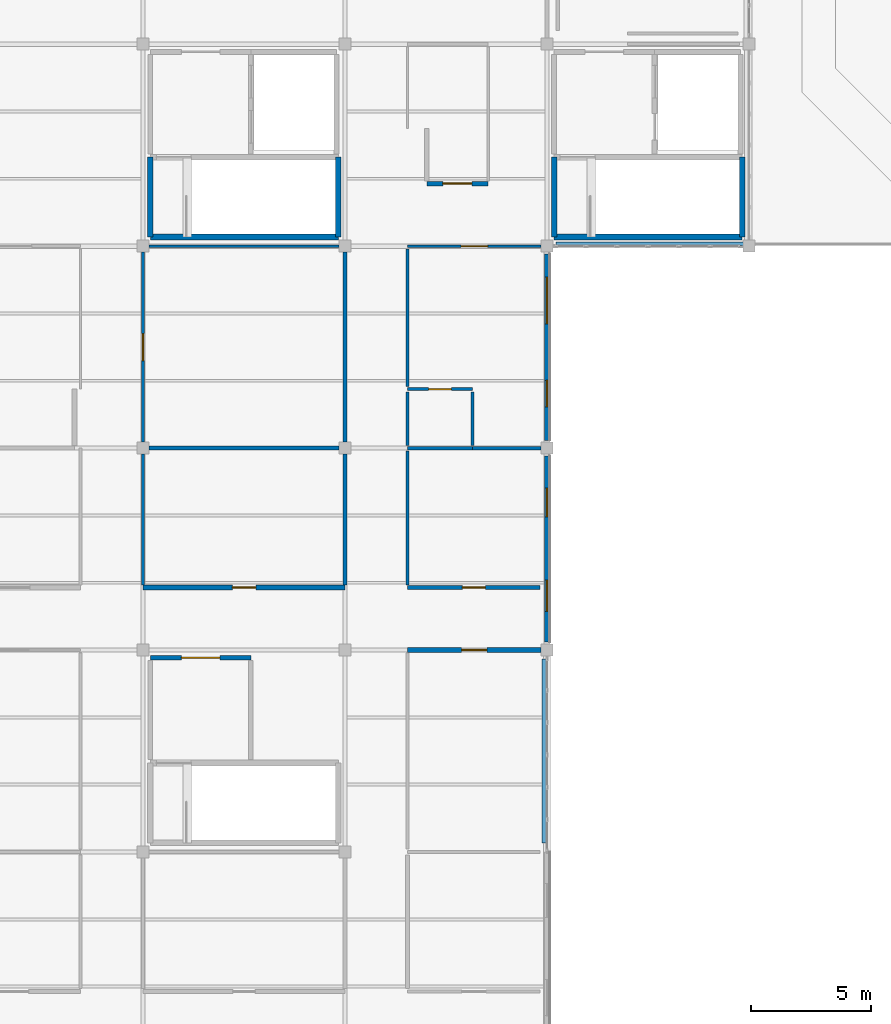
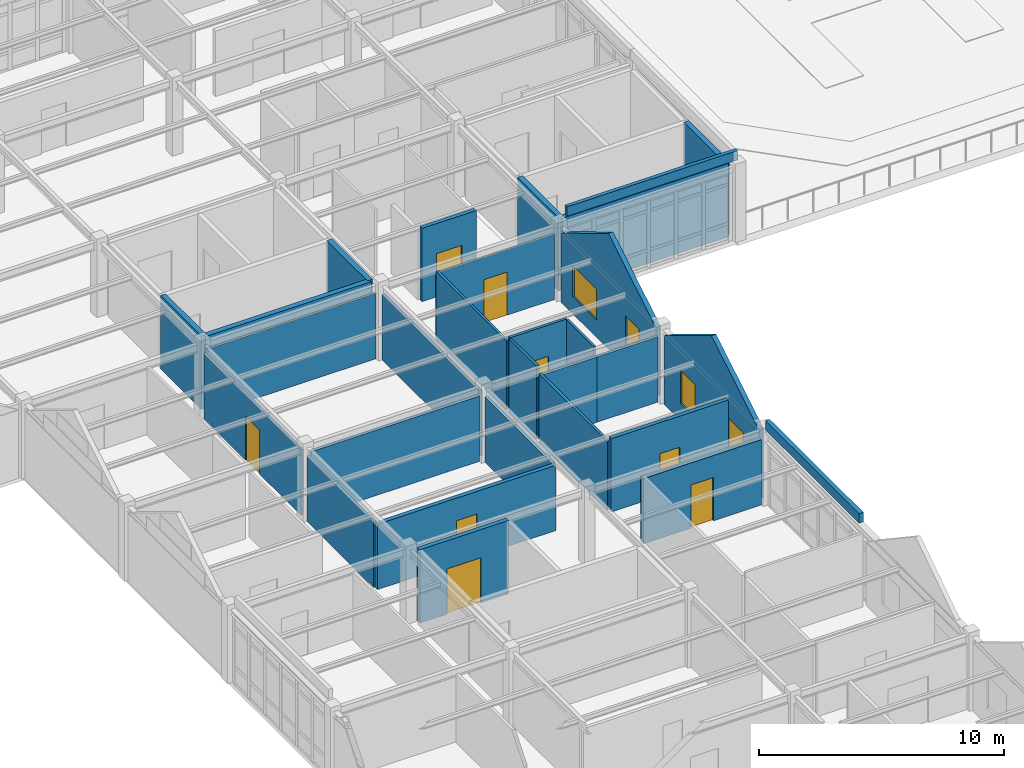
# One storey, part 39 of 45: 29 walls, 8 doors, 4 windows, 12 openings.
"""IFC4 building model written with IfcOpenShell, lengths in metres."""

import ifcopenshell
import ifcopenshell.guid

model = None  # the IFC model being written
_history = None  # IfcOwnerHistory: only IFC2X3 demands one
_inside = {}  # id of a spatial element -> (the spatial element, [elements in it])
_under = {}  # id of a project, library or spatial element -> (it, [spatial elements below it])
_declared = {}  # id of a project -> (the project, [libraries it declares])
_typed = {}  # id of a type object -> (the type object, [elements of that type])
_made_of = {}  # id of a material, layer set ... -> (it, [elements and type objects made of it])


def new_model(schema):
    """Start an empty IFC model of exactly this schema.

    Asked for "IFC4X3", IfcOpenShell would pick the latest addendum, in which some entities
    have other attributes; the version numbers below select the first issue.
    IFC2X3 requires an IfcOwnerHistory on every rooted entity: one is made here for all.
    """
    global model, _history
    if schema == "IFC4X3":
        model = ifcopenshell.file(schema_version=(4, 3, 0, 0))
    else:
        model = ifcopenshell.file(schema=schema)
    _inside.clear()
    _under.clear()
    _declared.clear()
    _typed.clear()
    _made_of.clear()
    _history = None
    if model.schema == "IFC2X3":
        org = make("IfcOrganization", Name="unknown")
        user = make(
            "IfcPersonAndOrganization",
            ThePerson=make("IfcPerson", FamilyName="unknown"),
            TheOrganization=org,
        )
        app = make(
            "IfcApplication",
            ApplicationDeveloper=org,
            Version="unknown",
            ApplicationFullName="unknown",
            ApplicationIdentifier="unknown",
        )
        _history = make(
            "IfcOwnerHistory",
            OwningUser=user,
            OwningApplication=app,
            ChangeAction="ADDED",
            CreationDate=0,
        )
    return model


def make(cls, **values):
    """One entity of the class cls with the attributes given. An attribute that is None is left unset."""
    return model.create_entity(
        cls, **{name: value for name, value in values.items() if value is not None}
    )


def rooted(cls, **values):
    """An entity with a GlobalId (a new one), such as an element, a storey or a relation."""
    return make(cls, GlobalId=ifcopenshell.guid.new(), OwnerHistory=_history, **values)


def si_unit(unit_type, name, prefix=None):
    """IfcSIUnit, for example si_unit("LENGTHUNIT", "METRE", prefix="MILLI")."""
    return make("IfcSIUnit", UnitType=unit_type, Prefix=prefix, Name=name)


def assignment(units):
    """IfcUnitAssignment: the units of a project."""
    return None if units is None else make("IfcUnitAssignment", Units=units)


def point(xyz):
    """IfcCartesianPoint."""
    return None if xyz is None else make("IfcCartesianPoint", Coordinates=xyz)


def direction(xyz):
    """IfcDirection."""
    return None if xyz is None else make("IfcDirection", DirectionRatios=xyz)


def frame(location, z_axis=None, x_axis=None):
    """IfcAxis2Placement3D, a coordinate frame: its origin and axes. An axis left out is left unset."""
    return make(
        "IfcAxis2Placement3D",
        Location=point(location),
        Axis=direction(z_axis),
        RefDirection=direction(x_axis),
    )


def frame_2d(location, x_axis=None):
    """IfcAxis2Placement2D, a coordinate frame in the plane: its origin and x axis."""
    return make(
        "IfcAxis2Placement2D", Location=point(location), RefDirection=direction(x_axis)
    )


def origin():
    """The frame at (0, 0, 0) with its axes left unset."""
    return frame((0.0, 0.0, 0.0))


def place(relative_to, where):
    """IfcLocalPlacement: puts the frame where relative to a parent placement (None: the world)."""
    return make(
        "IfcLocalPlacement", PlacementRelTo=relative_to, RelativePlacement=where
    )


def context(
    kind, dimensions, precision=None, world=None, true_north=None, identifier=None
):
    """IfcGeometricRepresentationContext, for example the 3D "Model" context."""
    return make(
        "IfcGeometricRepresentationContext",
        ContextIdentifier=identifier,
        ContextType=kind,
        CoordinateSpaceDimension=dimensions,
        Precision=precision,
        WorldCoordinateSystem=world,
        TrueNorth=true_north,
    )


def subcontext(parent, identifier, kind, view, scale=None):
    """IfcGeometricRepresentationSubContext, for example "Body" below "Model"."""
    return make(
        "IfcGeometricRepresentationSubContext",
        ContextIdentifier=identifier,
        ContextType=kind,
        ParentContext=parent,
        TargetScale=scale,
        TargetView=view,
    )


def project(units=None, contexts=None):
    """IfcProject with its units and contexts."""
    return rooted(
        "IfcProject",
        Name="project",
        RepresentationContexts=contexts,
        UnitsInContext=assignment(units),
    )


def spatial(cls, under=None, at=None, **own):
    """A site, building, storey or space (cls), placed at a placement, below another one or the project."""
    s = rooted(cls, ObjectPlacement=at, **own)
    if under is not None:
        _under.setdefault(under.id(), (under, []))[1].append(s)
    return s


def polyline(points):
    """IfcPolyline through the points."""
    return make("IfcPolyline", Points=[point(p) for p in points])


def profile(cls, at=None, kind="AREA", **sizes):
    """A parametric profile (cls). Its sizes go by their IFC names, for example OverallWidth=200.0."""
    return make(cls, ProfileType=kind, Position=at, **sizes)


def rectangle(**sizes):
    """IfcRectangleProfileDef."""
    return profile("IfcRectangleProfileDef", **sizes)


def outline(outer, holes=None, kind="AREA"):
    """IfcArbitraryClosedProfileDef: a profile drawn as a closed curve; with holes, ...WithVoids."""
    if holes is None:
        return make("IfcArbitraryClosedProfileDef", ProfileType=kind, OuterCurve=outer)
    return make(
        "IfcArbitraryProfileDefWithVoids",
        ProfileType=kind,
        OuterCurve=outer,
        InnerCurves=holes,
    )


def extrude(swept, where, along, depth):
    """IfcExtrudedAreaSolid: the profile swept, set in the frame where, extruded along a direction by depth."""
    return make(
        "IfcExtrudedAreaSolid",
        SweptArea=swept,
        Position=where,
        ExtrudedDirection=direction(along),
        Depth=depth,
    )


def shape(context_of_items, identifier, shape_type, items):
    """IfcShapeRepresentation: the items that make up one representation, for example the "Body"."""
    return make(
        "IfcShapeRepresentation",
        ContextOfItems=context_of_items,
        RepresentationIdentifier=identifier,
        RepresentationType=shape_type,
        Items=items,
    )


def material(Name=None, Category=None):
    """IfcMaterial."""
    return make("IfcMaterial", Name=Name, Category=Category)


def layer(
    of_material, thickness, ventilated=None, Name=None, Category=None, Priority=None
):
    """IfcMaterialLayer: one layer of a wall or slab, of a material (None: an air gap)."""
    return make(
        "IfcMaterialLayer",
        Material=of_material,
        LayerThickness=thickness,
        IsVentilated=ventilated,
        Name=Name,
        Category=Category,
        Priority=Priority,
    )


def layer_set(layers, Name=None):
    """IfcMaterialLayerSet."""
    return make("IfcMaterialLayerSet", MaterialLayers=layers, LayerSetName=Name)


def made_of(thing, what):
    """Note that an element or type object is made of a material, layer set ...; save() writes the relation."""
    if what is not None:
        _made_of.setdefault(what.id(), (what, []))[1].append(thing)
    return thing


def type_object(cls, material=None, **own):
    """A type object (cls), such as IfcWallType, which elements share."""
    return made_of(rooted(cls, **own), material)


def element(
    cls,
    number,
    at=None,
    inside=None,
    cuts=None,
    type_object=None,
    material=None,
    context=None,
    identifier="Body",
    shape_type=None,
    held_by="IfcProductDefinitionShape",
    body=None,
    shapes=None,
    **own,
):
    """One element of the class cls, such as IfcWall. Its Tag is "e" and its number.

    at: its placement. inside: the storey or other place that contains it. cuts: it is an
    opening in that element (IfcRelVoidsElement). A single representation is given by context,
    identifier, shape_type and body (its items); several are given by shapes. held_by: the class
    of the entity that holds the representations. save() writes the other relations.
    """
    e = rooted(cls, Tag="e%d" % number, ObjectPlacement=at, **own)
    if body is not None:
        shapes = [shape(context, identifier, shape_type, body)]
    if shapes is not None:
        e.Representation = make(held_by, Representations=shapes)
    if inside is not None:
        _inside.setdefault(inside.id(), (inside, []))[1].append(e)
    if cuts is not None:
        rooted(
            "IfcRelVoidsElement", RelatingBuildingElement=cuts, RelatedOpeningElement=e
        )
    if type_object is not None:
        _typed.setdefault(type_object.id(), (type_object, []))[1].append(e)
    return made_of(e, material)


def fill(opening, filler):
    """IfcRelFillsElement: the door or window that sits in an opening."""
    return rooted(
        "IfcRelFillsElement",
        RelatingOpeningElement=opening,
        RelatedBuildingElement=filler,
    )


def aggregate(whole, parts):
    """IfcRelAggregates: a whole, such as a stair, and the parts it consists of."""
    return rooted("IfcRelAggregates", RelatingObject=whole, RelatedObjects=parts)


def save(model, path):
    """Write the relations noted so far, then the file.

    IfcRelAggregates (storeys below a building ...), IfcRelContainedInSpatialStructure (elements
    in a storey), IfcRelDefinesByType, IfcRelAssociatesMaterial and IfcRelDeclares: one each for
    every whole, place, type object, material and project.
    """
    for whole, parts in _under.values():
        aggregate(whole, parts)
    for where, things in _inside.values():
        rooted(
            "IfcRelContainedInSpatialStructure",
            RelatedElements=things,
            RelatingStructure=where,
        )
    for kind, things in _typed.values():
        rooted("IfcRelDefinesByType", RelatedObjects=things, RelatingType=kind)
    for what, things in _made_of.values():
        rooted("IfcRelAssociatesMaterial", RelatedObjects=things, RelatingMaterial=what)
    for by, libraries in _declared.values():
        rooted("IfcRelDeclares", RelatingContext=by, RelatedDefinitions=libraries)
    model.write(path)


model = new_model("IFC4")

# Units and contexts
model_context = context("Model", 3, precision=1e-05, world=origin(), true_north=direction((0.0, 1.0)))
body_context = subcontext(model_context, "Body", "Model", "MODEL_VIEW")
ifc_project = project(units=[si_unit("LENGTHUNIT", "METRE"), si_unit("AREAUNIT", "SQUARE_METRE"), si_unit("VOLUMEUNIT", "CUBIC_METRE"), si_unit("PLANEANGLEUNIT", "RADIAN"), si_unit("MASSUNIT", "GRAM", prefix="KILO")], contexts=[model_context])

# Site, building, storey
site_placement = place(None, origin())
site = spatial("IfcSite", under=ifc_project, at=site_placement, CompositionType="ELEMENT")
building_placement = place(site_placement, origin())
building = spatial("IfcBuilding", under=site, at=building_placement, Name="Bramfleet General Hospital", CompositionType="ELEMENT")
storey_placement = place(building_placement, frame((0.0, 0.0, 30.300048828125)))
storey = spatial("IfcBuildingStorey", under=building, at=storey_placement, Name="L07", CompositionType="ELEMENT", Elevation=30.300048828125)

# Wall, openings, windows
ifc_material_1 = material(Name="Structural timber GL28h", Category="wood")
ifc_layer_1 = layer(ifc_material_1, 0.219970703125, Name="WT-EW-10")
ifc_layer_set_1 = layer_set([ifc_layer_1], Name="Structural timber GL28h")
wall_type_1 = type_object("IfcWallType", Name="WT-EW-10", PredefinedType="SOLIDWALL", material=ifc_layer_set_1)
wall_1_placement = place(storey_placement, frame((117.60009765625, 92.074951171875, 0.0), z_axis=(0.0, 0.0, 1.0), x_axis=(0.0, -1.0, 0.0)))
wall_1 = element("IfcWall", 1, at=wall_1_placement, inside=storey, type_object=wall_type_1, Name="L07 Exterior Wall 441", PredefinedType="SOLIDWALL", context=body_context, shape_type="SweptSolid", body=[
    extrude(outline(polyline([(0.0, 0.0), (7.75, 0.0), (7.75, 3.419921875), (3.875, 5.76025390625), (0.0, 3.419921875), (0.0, 0.0)])), frame((0.0, 0.10986328125, 0.0), z_axis=(0.0, -1.0, 0.0), x_axis=(1.0, 0.0, 0.0)), (0.0, 0.0, 1.0), 0.219970703125),
])
opening_1_placement = place(wall_1_placement, frame((0.96240234375, 0.0, 0.85009765625)))
opening_1 = element("IfcOpeningElement", 2, at=opening_1_placement, cuts=wall_1, Name="Opening W-30", PredefinedType="OPENING", context=body_context, shape_type="SweptSolid", body=[
    extrude(rectangle(XDim=1.949951171875, YDim=1.5400390625, at=frame_2d((0.97509765625, 0.77001953125))), frame((0.0, 0.119873046875, 0.0), z_axis=(0.0, -1.0, 0.0), x_axis=(1.0, 0.0, 0.0)), (0.0, 0.0, 1.0), 0.239990234375),
])
opening_2_placement = place(wall_1_placement, frame((5.262451171875, 0.0, 0.85009765625)))
opening_2 = element("IfcOpeningElement", 3, at=opening_2_placement, cuts=wall_1, Name="Opening W-31", PredefinedType="OPENING", context=body_context, shape_type="SweptSolid", body=[
    extrude(rectangle(XDim=1.10009765625, YDim=1.659912109375, at=frame_2d((0.550048828125, 0.830078125))), frame((0.0, 0.119873046875, 0.0), z_axis=(0.0, -1.0, 0.0), x_axis=(1.0, 0.0, 0.0)), (0.0, 0.0, 1.0), 0.239990234375),
])
ifc_material_2 = material(Name="Anodised aluminium and low-E triple glazing", Category="aluminium")
window_type_1 = type_object("IfcWindowType", Name="WIN-W-30", PartitioningType="SINGLE_PANEL", PredefinedType="WINDOW", material=ifc_material_2)
window_1_placement = place(opening_1_placement, origin())
window_1 = element("IfcWindow", 4, at=window_1_placement, inside=storey, type_object=window_type_1, Name="L07 Facade Window WIN-L07-441-1", OverallHeight=1.5400390625, OverallWidth=1.949951171875, PartitioningType="SINGLE_PANEL", PredefinedType="WINDOW", context=body_context, shape_type="SweptSolid", body=[
    extrude(rectangle(XDim=1.949951171875, YDim=1.5400390625, at=frame_2d((0.97509765625, 0.77001953125))), frame((0.0, 0.030029296875, 0.0), z_axis=(0.0, -1.0, 0.0), x_axis=(1.0, 0.0, 0.0)), (0.0, 0.0, 1.0), 0.06005859375),
])
fill(opening_1, window_1)
window_type_2 = type_object("IfcWindowType", Name="WIN-W-31", PartitioningType="SINGLE_PANEL", PredefinedType="WINDOW", material=ifc_material_2)
window_2_placement = place(opening_2_placement, origin())
window_2 = element("IfcWindow", 5, at=window_2_placement, inside=storey, type_object=window_type_2, Name="L07 Facade Window WIN-L07-441-2", OverallHeight=1.659912109375, OverallWidth=1.10009765625, PartitioningType="SINGLE_PANEL", PredefinedType="WINDOW", context=body_context, shape_type="SweptSolid", body=[
    extrude(rectangle(XDim=1.10009765625, YDim=1.659912109375, at=frame_2d((0.550048828125, 0.830078125))), frame((0.0, 0.030029296875, 0.0), z_axis=(0.0, -1.0, 0.0), x_axis=(1.0, 0.0, 0.0)), (0.0, 0.0, 1.0), 0.06005859375),
])
fill(opening_2, window_2)

wall_2_placement = place(storey_placement, frame((117.60009765625, 83.675048828125, 0.0), z_axis=(0.0, 0.0, 1.0), x_axis=(0.0, -1.0, 0.0)))
wall_2 = element("IfcWall", 6, at=wall_2_placement, inside=storey, type_object=wall_type_1, Name="L07 Exterior Wall 442", PredefinedType="SOLIDWALL", context=body_context, shape_type="SweptSolid", body=[
    extrude(outline(polyline([(0.0, 0.0), (7.75, 0.0), (7.75, 3.419921875), (3.875, 5.76025390625), (0.0, 3.419921875), (0.0, 0.0)])), frame((0.0, 0.10986328125, 0.0), z_axis=(0.0, -1.0, 0.0), x_axis=(1.0, 0.0, 0.0)), (0.0, 0.0, 1.0), 0.219970703125),
])
opening_3_placement = place(wall_2_placement, frame((1.33740234375, 0.0, 0.85009765625)))
opening_3 = element("IfcOpeningElement", 7, at=opening_3_placement, cuts=wall_2, Name="Opening W-32", PredefinedType="OPENING", context=body_context, shape_type="SweptSolid", body=[
    extrude(rectangle(XDim=1.199951171875, YDim=1.659912109375, at=frame_2d((0.60009765625, 0.830078125))), frame((0.0, 0.119873046875, 0.0), z_axis=(0.0, -1.0, 0.0), x_axis=(1.0, 0.0, 0.0)), (0.0, 0.0, 1.0), 0.239990234375),
])
opening_4_placement = place(wall_2_placement, frame((5.16259765625, 0.0, 0.85009765625)))
opening_4 = element("IfcOpeningElement", 8, at=opening_4_placement, cuts=wall_2, Name="Opening W-33", PredefinedType="OPENING", context=body_context, shape_type="SweptSolid", body=[
    extrude(rectangle(XDim=1.300048828125, YDim=1.659912109375, at=frame_2d((0.64990234375, 0.830078125))), frame((0.0, 0.119873046875, 0.0), z_axis=(0.0, -1.0, 0.0), x_axis=(1.0, 0.0, 0.0)), (0.0, 0.0, 1.0), 0.239990234375),
])
window_type_3 = type_object("IfcWindowType", Name="WIN-W-32", PartitioningType="SINGLE_PANEL", PredefinedType="WINDOW", material=ifc_material_2)
window_3_placement = place(opening_3_placement, origin())
window_3 = element("IfcWindow", 9, at=window_3_placement, inside=storey, type_object=window_type_3, Name="L07 Facade Window WIN-L07-442-1", OverallHeight=1.659912109375, OverallWidth=1.199951171875, PartitioningType="SINGLE_PANEL", PredefinedType="WINDOW", context=body_context, shape_type="SweptSolid", body=[
    extrude(rectangle(XDim=1.199951171875, YDim=1.659912109375, at=frame_2d((0.60009765625, 0.830078125))), frame((0.0, 0.030029296875, 0.0), z_axis=(0.0, -1.0, 0.0), x_axis=(1.0, 0.0, 0.0)), (0.0, 0.0, 1.0), 0.06005859375),
])
fill(opening_3, window_3)
window_type_4 = type_object("IfcWindowType", Name="WIN-W-33", PartitioningType="SINGLE_PANEL", PredefinedType="WINDOW", material=ifc_material_2)
window_4_placement = place(opening_4_placement, origin())
window_4 = element("IfcWindow", 10, at=window_4_placement, inside=storey, type_object=window_type_4, Name="L07 Facade Window WIN-L07-442-2", OverallHeight=1.659912109375, OverallWidth=1.300048828125, PartitioningType="SINGLE_PANEL", PredefinedType="WINDOW", context=body_context, shape_type="SweptSolid", body=[
    extrude(rectangle(XDim=1.300048828125, YDim=1.659912109375, at=frame_2d((0.64990234375, 0.830078125))), frame((0.0, 0.030029296875, 0.0), z_axis=(0.0, -1.0, 0.0), x_axis=(1.0, 0.0, 0.0)), (0.0, 0.0, 1.0), 0.06005859375),
])
fill(opening_4, window_4)

# Wall, opening, door
ifc_material_3 = material(Name="Concrete C35/45", Category="concrete")
ifc_layer_2 = layer(ifc_material_3, 0.219970703125, Name="WT-IW-01")
ifc_layer_set_2 = layer_set([ifc_layer_2], Name="Concrete C35/45")
wall_type_2 = type_object("IfcWallType", Name="WT-IW-01", PredefinedType="PARTITIONING", material=ifc_layer_set_2)
wall_3_placement = place(storey_placement, frame((111.800048828125, 75.60009765625, 0.0), z_axis=(0.0, 0.0, 1.0), x_axis=(1.0, 0.0, 0.0)))
wall_3 = element("IfcWall", 11, at=wall_3_placement, inside=storey, type_object=wall_type_2, Name="L07 Interior Partition IW-L07-4189", PredefinedType="PARTITIONING", context=body_context, shape_type="SweptSolid", body=[
    extrude(rectangle(XDim=5.554931640625, YDim=0.219970703125, at=frame_2d((2.77734375, 0.0))), origin(), (0.0, 0.0, 1.0), 3.25),
])
opening_5_placement = place(wall_3_placement, frame((2.25244140625, 0.0, 0.0)))
opening_5 = element("IfcOpeningElement", 12, at=opening_5_placement, cuts=wall_3, Name="Opening D1577", PredefinedType="OPENING", context=body_context, shape_type="SweptSolid", body=[
    extrude(rectangle(XDim=1.050048828125, YDim=2.14990234375, at=frame_2d((0.52490234375, 1.074951171875))), frame((0.0, 0.119873046875, 0.0), z_axis=(0.0, -1.0, 0.0), x_axis=(1.0, 0.0, 0.0)), (0.0, 0.0, 1.0), 0.239990234375),
])
ifc_material_4 = material(Name="Stainless steel and acoustic timber leaf", Category="steel")
door_type_1 = type_object("IfcDoorType", Name="DR-D-09", OperationType="NOTDEFINED", PredefinedType="DOOR", material=ifc_material_4)
door_1_placement = place(opening_5_placement, origin())
door_1 = element("IfcDoor", 13, at=door_1_placement, inside=storey, type_object=door_type_1, Name="Flat-Link Nurse Station and Medication Hub L07-1308 Door D1577", OperationType="SINGLE_SWING_RIGHT", OverallHeight=2.14990234375, OverallWidth=1.050048828125, PredefinedType="DOOR", context=body_context, shape_type="SweptSolid", body=[
    extrude(rectangle(XDim=1.050048828125, YDim=2.14990234375, at=frame_2d((0.52490234375, 1.074951171875))), frame((0.0, 0.02490234375, 0.0), z_axis=(0.0, -1.0, 0.0), x_axis=(1.0, 0.0, 0.0)), (0.0, 0.0, 1.0), 0.050048828125),
])
fill(opening_5, door_1)

ifc_layer_3 = layer(ifc_material_3, 0.205078125, Name="WT-IW-02")
ifc_layer_set_3 = layer_set([ifc_layer_3], Name="Concrete C35/45")
wall_type_3 = type_object("IfcWallType", Name="WT-IW-02", PredefinedType="PARTITIONING", material=ifc_layer_set_3)
wall_4_placement = place(storey_placement, frame((101.10009765625, 75.280029296875, 0.0), z_axis=(0.0, 0.0, 1.0), x_axis=(1.0, 0.0, 0.0)))
wall_4 = element("IfcWall", 14, at=wall_4_placement, inside=storey, type_object=wall_type_3, Name="L07 C11 Lobby North Compartment Wall", PredefinedType="PARTITIONING", context=body_context, shape_type="SweptSolid", body=[
    extrude(rectangle(XDim=4.179931640625, YDim=0.205078125, at=frame_2d((2.08984375, 0.0))), origin(), (0.0, 0.0, 1.0), 3.64990234375),
])
opening_6_placement = place(wall_4_placement, frame((1.2900390625, 0.0, 0.0)))
opening_6 = element("IfcOpeningElement", 15, at=opening_6_placement, cuts=wall_4, Name="Opening D0154", PredefinedType="OPENING", context=body_context, shape_type="SweptSolid", body=[
    extrude(rectangle(XDim=1.60009765625, YDim=2.25, at=frame_2d((0.800048828125, 1.125))), frame((0.0, 0.112548828125, 0.0), z_axis=(0.0, -1.0, 0.0), x_axis=(1.0, 0.0, 0.0)), (0.0, 0.0, 1.0), 0.22509765625),
])
door_type_2 = type_object("IfcDoorType", Name="DR-D-04", OperationType="NOTDEFINED", PredefinedType="DOOR", material=ifc_material_4)
door_2_placement = place(opening_6_placement, origin())
door_2 = element("IfcDoor", 16, at=door_2_placement, inside=storey, type_object=door_type_2, Name="L07 C11 Lobby Fire Door D0154", OperationType="DOUBLE_SWING_LEFT", OverallHeight=2.25, OverallWidth=1.60009765625, PredefinedType="DOOR", context=body_context, shape_type="SweptSolid", body=[
    extrude(rectangle(XDim=1.60009765625, YDim=2.25, at=frame_2d((0.800048828125, 1.125))), frame((0.0, 0.02490234375, 0.0), z_axis=(0.0, -1.0, 0.0), x_axis=(1.0, 0.0, 0.0)), (0.0, 0.0, 1.0), 0.050048828125),
])
fill(opening_6, door_2)

ifc_layer_4 = layer(ifc_material_3, 0.18994140625, Name="WT-IW-03")
ifc_layer_set_4 = layer_set([ifc_layer_4], Name="Concrete C35/45")
wall_type_4 = type_object("IfcWallType", Name="WT-IW-03", PredefinedType="PARTITIONING", material=ifc_layer_set_4)
wall_5_placement = place(storey_placement, frame((100.800048828125, 78.199951171875, 0.0), z_axis=(0.0, 0.0, 1.0), x_axis=(1.0, 0.0, 0.0)))
wall_5 = element("IfcWall", 17, at=wall_5_placement, inside=storey, type_object=wall_type_4, Name="L07 Interior Partition IW-L07-4191", PredefinedType="PARTITIONING", context=body_context, shape_type="SweptSolid", body=[
    extrude(rectangle(XDim=8.39990234375, YDim=0.18994140625, at=frame_2d((4.199951171875, 0.0))), origin(), (0.0, 0.0, 1.0), 3.25),
])
opening_7_placement = place(wall_5_placement, frame((3.7099609375, 0.0, 0.0)))
opening_7 = element("IfcOpeningElement", 18, at=opening_7_placement, cuts=wall_5, Name="Opening D1562", PredefinedType="OPENING", context=body_context, shape_type="SweptSolid", body=[
    extrude(rectangle(XDim=0.97998046875, YDim=2.1201171875, at=frame_2d((0.489990234375, 1.06005859375))), frame((0.0, 0.10498046875, 0.0), z_axis=(0.0, -1.0, 0.0), x_axis=(1.0, 0.0, 0.0)), (0.0, 0.0, 1.0), 0.2099609375),
])
door_type_3 = type_object("IfcDoorType", Name="DR-D-26", OperationType="NOTDEFINED", PredefinedType="DOOR", material=ifc_material_4)
door_3_placement = place(opening_7_placement, origin())
door_3 = element("IfcDoor", 19, at=door_3_placement, inside=storey, type_object=door_type_3, Name="Patient House Clean Support Room L07-1209 Door D1562", OperationType="SINGLE_SWING_LEFT", OverallHeight=2.1201171875, OverallWidth=0.97998046875, PredefinedType="DOOR", context=body_context, shape_type="SweptSolid", body=[
    extrude(rectangle(XDim=0.97998046875, YDim=2.1201171875, at=frame_2d((0.489990234375, 1.06005859375))), frame((0.0, 0.02490234375, 0.0), z_axis=(0.0, -1.0, 0.0), x_axis=(1.0, 0.0, 0.0)), (0.0, 0.0, 1.0), 0.050048828125),
])
fill(opening_7, door_3)

ifc_layer_5 = layer(ifc_material_3, 0.179931640625, Name="WT-IW-04")
ifc_layer_set_5 = layer_set([ifc_layer_5], Name="Concrete C35/45")
wall_type_5 = type_object("IfcWallType", Name="WT-IW-04", PredefinedType="PARTITIONING", material=ifc_layer_set_5)
wall_6_placement = place(storey_placement, frame((111.800048828125, 78.199951171875, 0.0), z_axis=(0.0, 0.0, 1.0), x_axis=(1.0, 0.0, 0.0)))
wall_6 = element("IfcWall", 20, at=wall_6_placement, inside=storey, type_object=wall_type_5, Name="L07 Interior Partition IW-L07-4192", PredefinedType="PARTITIONING", context=body_context, shape_type="SweptSolid", body=[
    extrude(rectangle(XDim=5.52001953125, YDim=0.179931640625, at=frame_2d((2.760009765625, 0.0))), origin(), (0.0, 0.0, 1.0), 3.64990234375),
])
opening_8_placement = place(wall_6_placement, frame((2.284912109375, 0.0, 0.0)))
opening_8 = element("IfcOpeningElement", 21, at=opening_8_placement, cuts=wall_6, Name="Opening D1578", PredefinedType="OPENING", context=body_context, shape_type="SweptSolid", body=[
    extrude(rectangle(XDim=0.949951171875, YDim=2.10009765625, at=frame_2d((0.47509765625, 1.050048828125))), frame((0.0, 0.099853515625, 0.0), z_axis=(0.0, -1.0, 0.0), x_axis=(1.0, 0.0, 0.0)), (0.0, 0.0, 1.0), 0.199951171875),
])
door_type_4 = type_object("IfcDoorType", Name="DR-D-10", OperationType="NOTDEFINED", PredefinedType="DOOR", material=ifc_material_4)
door_4_placement = place(opening_8_placement, origin())
door_4 = element("IfcDoor", 22, at=door_4_placement, inside=storey, type_object=door_type_4, Name="Gabled Patient House PH-13 Bedroom 1309 Door D1578", OperationType="SINGLE_SWING_LEFT", OverallHeight=2.10009765625, OverallWidth=0.949951171875, PredefinedType="DOOR", context=body_context, shape_type="SweptSolid", body=[
    extrude(rectangle(XDim=0.949951171875, YDim=2.10009765625, at=frame_2d((0.47509765625, 1.050048828125))), frame((0.0, 0.02490234375, 0.0), z_axis=(0.0, -1.0, 0.0), x_axis=(1.0, 0.0, 0.0)), (0.0, 0.0, 1.0), 0.050048828125),
])
fill(opening_8, door_4)

wall_7_placement = place(storey_placement, frame((112.60009765625, 95.0, 0.0), z_axis=(0.0, 0.0, 1.0), x_axis=(1.0, 0.0, 0.0)))
wall_7 = element("IfcWall", 23, at=wall_7_placement, inside=storey, type_object=wall_type_5, Name="L07 Interior Partition IW-L07-4204", PredefinedType="PARTITIONING", context=body_context, shape_type="SweptSolid", body=[
    extrude(rectangle(XDim=2.5498046875, YDim=0.179931640625, at=frame_2d((1.27490234375, 0.0))), origin(), (0.0, 0.0, 1.0), 3.64990234375),
])
opening_9_placement = place(wall_7_placement, frame((0.675048828125, 0.0, 0.0)))
opening_9 = element("IfcOpeningElement", 24, at=opening_9_placement, cuts=wall_7, Name="Opening D1581", PredefinedType="OPENING", context=body_context, shape_type="SweptSolid", body=[
    extrude(rectangle(XDim=1.199951171875, YDim=2.14990234375, at=frame_2d((0.60009765625, 1.074951171875))), frame((0.0, 0.099853515625, 0.0), z_axis=(0.0, -1.0, 0.0), x_axis=(1.0, 0.0, 0.0)), (0.0, 0.0, 1.0), 0.199951171875),
])
door_type_5 = type_object("IfcDoorType", Name="DR-D-13", OperationType="NOTDEFINED", PredefinedType="DOOR", material=ifc_material_4)
door_5_placement = place(opening_9_placement, origin())
door_5 = element("IfcDoor", 25, at=door_5_placement, inside=storey, type_object=door_type_5, Name="Gabled Patient House PH-04 Bedroom 1311 Door D1581", OperationType="SINGLE_SWING_RIGHT", OverallHeight=2.14990234375, OverallWidth=1.199951171875, PredefinedType="DOOR", context=body_context, shape_type="SweptSolid", body=[
    extrude(rectangle(XDim=1.199951171875, YDim=2.14990234375, at=frame_2d((0.60009765625, 1.074951171875))), frame((0.0, 0.02490234375, 0.0), z_axis=(0.0, -1.0, 0.0), x_axis=(1.0, 0.0, 0.0)), (0.0, 0.0, 1.0), 0.050048828125),
])
fill(opening_9, door_5)

# Walls
ifc_material_5 = material(Name="Gypsum plasterboard on acoustic steel studs", Category="steel")
ifc_layer_6 = layer(ifc_material_5, 0.159912109375, Name="WT-IW-06")
ifc_layer_set_6 = layer_set([ifc_layer_6], Name="Gypsum plasterboard on acoustic steel studs")
wall_type_6 = type_object("IfcWallType", Name="WT-IW-06", PredefinedType="PARTITIONING", material=ifc_layer_set_6)
wall_8_placement = place(storey_placement, frame((101.044921875, 84.0, 0.0), z_axis=(0.0, 0.0, 1.0), x_axis=(1.0, 0.0, 0.0)))
element("IfcWall", 26, at=wall_8_placement, inside=storey, type_object=wall_type_6, Name="L07 Interior Partition IW-L07-4194", PredefinedType="PARTITIONING", context=body_context, shape_type="SweptSolid", body=[
    extrude(rectangle(XDim=7.91015625, YDim=0.159912109375, at=frame_2d((3.955078125, 0.0))), origin(), (0.0, 0.0, 1.0), 3.25),
])
wall_9_placement = place(storey_placement, frame((109.199951171875, 78.31494140625, 0.0), z_axis=(0.0, 0.0, 1.0), x_axis=(0.0, 1.0, 0.0)))
element("IfcWall", 27, at=wall_9_placement, inside=storey, type_object=wall_type_6, Name="L07 Interior Partition IW-L07-4302", PredefinedType="PARTITIONING", context=body_context, shape_type="SweptSolid", body=[
    extrude(rectangle(XDim=5.43994140625, YDim=0.159912109375, at=frame_2d((2.719970703125, 0.0))), origin(), (0.0, 0.0, 1.0), 3.25),
])
ifc_layer_7 = layer(ifc_material_5, 0.14990234375, Name="WT-IW-07")
ifc_layer_set_7 = layer_set([ifc_layer_7], Name="Gypsum plasterboard on acoustic steel studs")
wall_type_7 = type_object("IfcWallType", Name="WT-IW-07", PredefinedType="PARTITIONING", material=ifc_layer_set_7)
wall_10_placement = place(storey_placement, frame((111.800048828125, 84.0, 0.0), z_axis=(0.0, 0.0, 1.0), x_axis=(1.0, 0.0, 0.0)))
element("IfcWall", 28, at=wall_10_placement, inside=storey, type_object=wall_type_7, Name="L07 Interior Partition IW-L07-4195", PredefinedType="PARTITIONING", context=body_context, shape_type="SweptSolid", body=[
    extrude(rectangle(XDim=2.699951171875, YDim=0.14990234375, at=frame_2d((1.35009765625, 0.0))), origin(), (0.0, 0.0, 1.0), 3.25),
])
wall_11_placement = place(storey_placement, frame((109.199951171875, 84.2451171875, 0.0), z_axis=(0.0, 0.0, 1.0), x_axis=(0.0, 1.0, 0.0)))
element("IfcWall", 29, at=wall_11_placement, inside=storey, type_object=wall_type_7, Name="L07 Interior Partition IW-L07-4303", PredefinedType="PARTITIONING", context=body_context, shape_type="SweptSolid", body=[
    extrude(rectangle(XDim=7.909912109375, YDim=0.14990234375, at=frame_2d((3.955078125, 0.0))), origin(), (0.0, 0.0, 1.0), 3.25),
])
ifc_layer_8 = layer(ifc_material_5, 0.139892578125, Name="WT-IW-08")
ifc_layer_set_8 = layer_set([ifc_layer_8], Name="Gypsum plasterboard on acoustic steel studs")
wall_type_8 = type_object("IfcWallType", Name="WT-IW-08", PredefinedType="PARTITIONING", material=ifc_layer_set_8)
wall_12_placement = place(storey_placement, frame((114.5, 84.0, 0.0), z_axis=(0.0, 0.0, 1.0), x_axis=(1.0, 0.0, 0.0)))
element("IfcWall", 30, at=wall_12_placement, inside=storey, type_object=wall_type_8, Name="L07 Interior Partition IW-L07-4196", PredefinedType="PARTITIONING", context=body_context, shape_type="SweptSolid", body=[
    extrude(rectangle(XDim=2.85498046875, YDim=0.139892578125, at=frame_2d((1.427490234375, 0.0))), origin(), (0.0, 0.0, 1.0), 3.25),
])

# Wall, opening, door
ifc_layer_9 = layer(ifc_material_5, 0.1298828125, Name="WT-IW-09")
ifc_layer_set_9 = layer_set([ifc_layer_9], Name="Gypsum plasterboard on acoustic steel studs")
wall_type_9 = type_object("IfcWallType", Name="WT-IW-09", PredefinedType="PARTITIONING", material=ifc_layer_set_9)
wall_13_placement = place(storey_placement, frame((111.800048828125, 86.449951171875, 0.0), z_axis=(0.0, 0.0, 1.0), x_axis=(1.0, 0.0, 0.0)))
wall_13 = element("IfcWall", 31, at=wall_13_placement, inside=storey, type_object=wall_type_9, Name="L07 Interior Partition IW-L07-4197", PredefinedType="PARTITIONING", context=body_context, shape_type="SweptSolid", body=[
    extrude(rectangle(XDim=2.699951171875, YDim=0.1298828125, at=frame_2d((1.35009765625, 0.0))), origin(), (0.0, 0.0, 1.0), 3.64990234375),
])
opening_10_placement = place(wall_13_placement, frame((0.875, 0.0, 0.0)))
opening_10 = element("IfcOpeningElement", 32, at=opening_10_placement, cuts=wall_13, Name="Opening D1580", PredefinedType="OPENING", context=body_context, shape_type="SweptSolid", body=[
    extrude(rectangle(XDim=0.949951171875, YDim=2.10009765625, at=frame_2d((0.47509765625, 1.050048828125))), frame((0.0, 0.074951171875, 0.0), z_axis=(0.0, -1.0, 0.0), x_axis=(1.0, 0.0, 0.0)), (0.0, 0.0, 1.0), 0.14990234375),
])
door_6_placement = place(opening_10_placement, origin())
door_6 = element("IfcDoor", 33, at=door_6_placement, inside=storey, type_object=door_type_4, Name="Patient House PH-14 En-Suite Bathroom 1310 Door D1580", OperationType="SINGLE_SWING_LEFT", OverallHeight=2.10009765625, OverallWidth=0.949951171875, PredefinedType="DOOR", context=body_context, shape_type="SweptSolid", body=[
    extrude(rectangle(XDim=0.949951171875, YDim=2.10009765625, at=frame_2d((0.47509765625, 1.050048828125))), frame((0.0, 0.02490234375, 0.0), z_axis=(0.0, -1.0, 0.0), x_axis=(1.0, 0.0, 0.0)), (0.0, 0.0, 1.0), 0.050048828125),
])
fill(opening_10, door_6)

# Walls
wall_14_placement = place(storey_placement, frame((100.800048828125, 78.31494140625, 0.0), z_axis=(0.0, 0.0, 1.0), x_axis=(0.0, 1.0, 0.0)))
element("IfcWall", 34, at=wall_14_placement, inside=storey, type_object=wall_type_9, Name="L07 Interior Partition IW-L07-4293", PredefinedType="PARTITIONING", context=body_context, shape_type="SweptSolid", body=[
    extrude(rectangle(XDim=5.43994140625, YDim=0.1298828125, at=frame_2d((2.719970703125, 0.0))), origin(), (0.0, 0.0, 1.0), 3.25),
])
wall_15_placement = place(storey_placement, frame((111.800048828125, 78.31494140625, 0.0), z_axis=(0.0, 0.0, 1.0), x_axis=(0.0, 1.0, 0.0)))
element("IfcWall", 35, at=wall_15_placement, inside=storey, type_object=wall_type_9, Name="L07 Interior Partition IW-L07-4317", PredefinedType="PARTITIONING", context=body_context, shape_type="SweptSolid", body=[
    extrude(rectangle(XDim=5.570068359375, YDim=0.1298828125, at=frame_2d((2.78515625, 0.0))), origin(), (0.0, 0.0, 1.0), 3.409912109375),
])

# Wall, opening, door
ifc_layer_10 = layer(ifc_material_5, 0.1201171875, Name="WT-IW-10")
ifc_layer_set_10 = layer_set([ifc_layer_10], Name="Gypsum plasterboard on acoustic steel studs")
wall_type_10 = type_object("IfcWallType", Name="WT-IW-10", PredefinedType="PARTITIONING", material=ifc_layer_set_10)
wall_16_placement = place(storey_placement, frame((100.800048828125, 84.2451171875, 0.0), z_axis=(0.0, 0.0, 1.0), x_axis=(0.0, 1.0, 0.0)))
wall_16 = element("IfcWall", 36, at=wall_16_placement, inside=storey, type_object=wall_type_10, Name="L07 Interior Partition IW-L07-4294", PredefinedType="PARTITIONING", context=body_context, shape_type="SweptSolid", body=[
    extrude(rectangle(XDim=7.909912109375, YDim=0.1201171875, at=frame_2d((3.955078125, 0.0))), origin(), (0.0, 0.0, 1.0), 3.25),
])
opening_11_placement = place(wall_16_placement, frame((3.39501953125, 0.0, 0.0)))
opening_11 = element("IfcOpeningElement", 37, at=opening_11_placement, cuts=wall_16, Name="Opening D1563", PredefinedType="OPENING", context=body_context, shape_type="SweptSolid", body=[
    extrude(rectangle(XDim=1.1201171875, YDim=2.179931640625, at=frame_2d((0.56005859375, 1.08984375))), frame((0.0, 0.070068359375, 0.0), z_axis=(0.0, -1.0, 0.0), x_axis=(1.0, 0.0, 0.0)), (0.0, 0.0, 1.0), 0.14013671875),
])
door_type_6 = type_object("IfcDoorType", Name="DR-D-27", OperationType="NOTDEFINED", PredefinedType="DOOR", material=ifc_material_4)
door_7_placement = place(opening_11_placement, origin())
door_7 = element("IfcDoor", 38, at=door_7_placement, inside=storey, type_object=door_type_6, Name="Patient House Clean Support Room L07-1210 Door D1563", OperationType="SINGLE_SWING_RIGHT", OverallHeight=2.179931640625, OverallWidth=1.1201171875, PredefinedType="DOOR", context=body_context, shape_type="SweptSolid", body=[
    extrude(rectangle(XDim=1.1201171875, YDim=2.179931640625, at=frame_2d((0.56005859375, 1.08984375))), frame((0.0, 0.02490234375, 0.0), z_axis=(0.0, -1.0, 0.0), x_axis=(1.0, 0.0, 0.0)), (0.0, 0.0, 1.0), 0.050048828125),
])
fill(opening_11, door_7)

# Walls
wall_17_placement = place(storey_placement, frame((111.800048828125, 84.114990234375, 0.0), z_axis=(0.0, 0.0, 1.0), x_axis=(0.0, 1.0, 0.0)))
element("IfcWall", 39, at=wall_17_placement, inside=storey, type_object=wall_type_10, Name="L07 Interior Partition IW-L07-4318", PredefinedType="PARTITIONING", context=body_context, shape_type="SweptSolid", body=[
    extrude(rectangle(XDim=2.219970703125, YDim=0.1201171875, at=frame_2d((1.10986328125, 0.0))), origin(), (0.0, 0.0, 1.0), 3.64990234375),
])
ifc_layer_11 = layer(ifc_material_5, 0.112060546875, Name="WT-IW-11")
ifc_layer_set_11 = layer_set([ifc_layer_11], Name="Gypsum plasterboard on acoustic steel studs")
wall_type_11 = type_object("IfcWallType", Name="WT-IW-11", PredefinedType="PARTITIONING", material=ifc_layer_set_11)
wall_18_placement = place(storey_placement, frame((101.044921875, 92.39990234375, 0.0), z_axis=(0.0, 0.0, 1.0), x_axis=(1.0, 0.0, 0.0)))
element("IfcWall", 40, at=wall_18_placement, inside=storey, type_object=wall_type_11, Name="L07 Interior Partition IW-L07-4199", PredefinedType="PARTITIONING", context=body_context, shape_type="SweptSolid", body=[
    extrude(rectangle(XDim=7.91015625, YDim=0.112060546875, at=frame_2d((3.955078125, 0.0))), origin(), (0.0, 0.0, 1.0), 3.25),
])
wall_19_placement = place(storey_placement, frame((111.800048828125, 86.56494140625, 0.0), z_axis=(0.0, 0.0, 1.0), x_axis=(0.0, 1.0, 0.0)))
element("IfcWall", 41, at=wall_19_placement, inside=storey, type_object=wall_type_11, Name="L07 Interior Partition IW-L07-4319", PredefinedType="PARTITIONING", context=body_context, shape_type="SweptSolid", body=[
    extrude(rectangle(XDim=5.719970703125, YDim=0.112060546875, at=frame_2d((2.85986328125, 0.0))), origin(), (0.0, 0.0, 1.0), 3.409912109375),
])
wall_20_placement = place(storey_placement, frame((114.5, 84.114990234375, 0.0), z_axis=(0.0, 0.0, 1.0), x_axis=(0.0, 1.0, 0.0)))
element("IfcWall", 42, at=wall_20_placement, inside=storey, type_object=wall_type_11, Name="L07 Interior Partition IW-L07-4331", PredefinedType="PARTITIONING", context=body_context, shape_type="SweptSolid", body=[
    extrude(rectangle(XDim=2.219970703125, YDim=0.112060546875, at=frame_2d((1.10986328125, 0.0))), origin(), (0.0, 0.0, 1.0), 3.64990234375),
])

# Wall, opening, door
ifc_layer_12 = layer(ifc_material_5, 0.10009765625, Name="WT-IW-12")
ifc_layer_set_12 = layer_set([ifc_layer_12], Name="Gypsum plasterboard on acoustic steel studs")
wall_type_12 = type_object("IfcWallType", Name="WT-IW-12", PredefinedType="PARTITIONING", material=ifc_layer_set_12)
wall_21_placement = place(storey_placement, frame((111.800048828125, 92.39990234375, 0.0), z_axis=(0.0, 0.0, 1.0), x_axis=(1.0, 0.0, 0.0)))
wall_21 = element("IfcWall", 43, at=wall_21_placement, inside=storey, type_object=wall_type_12, Name="L07 Interior Partition IW-L07-4200", PredefinedType="PARTITIONING", context=body_context, shape_type="SweptSolid", body=[
    extrude(rectangle(XDim=5.554931640625, YDim=0.10009765625, at=frame_2d((2.77734375, 0.0))), origin(), (0.0, 0.0, 1.0), 3.25),
])
opening_12_placement = place(wall_21_placement, frame((2.2275390625, 0.0, 0.0)))
opening_12 = element("IfcOpeningElement", 44, at=opening_12_placement, cuts=wall_21, Name="Opening D1579", PredefinedType="OPENING", context=body_context, shape_type="SweptSolid", body=[
    extrude(rectangle(XDim=1.10009765625, YDim=2.14990234375, at=frame_2d((0.550048828125, 1.074951171875))), frame((0.0, 0.06005859375, 0.0), z_axis=(0.0, -1.0, 0.0), x_axis=(1.0, 0.0, 0.0)), (0.0, 0.0, 1.0), 0.1201171875),
])
door_type_7 = type_object("IfcDoorType", Name="DR-D-11", OperationType="NOTDEFINED", PredefinedType="DOOR", material=ifc_material_4)
door_8_placement = place(opening_12_placement, origin())
door_8 = element("IfcDoor", 45, at=door_8_placement, inside=storey, type_object=door_type_7, Name="Gabled Patient House PH-14 Bedroom 1310 Door D1579", OperationType="SINGLE_SWING_RIGHT", OverallHeight=2.14990234375, OverallWidth=1.10009765625, PredefinedType="DOOR", context=body_context, shape_type="SweptSolid", body=[
    extrude(rectangle(XDim=1.10009765625, YDim=2.14990234375, at=frame_2d((0.550048828125, 1.074951171875))), frame((0.0, 0.02490234375, 0.0), z_axis=(0.0, -1.0, 0.0), x_axis=(1.0, 0.0, 0.0)), (0.0, 0.0, 1.0), 0.050048828125),
])
fill(opening_12, door_8)

# Walls
ifc_material_6 = material(Name="Precast concrete C40/50", Category="concrete")
ifc_layer_13 = layer(ifc_material_6, 0.199951171875, Name="WT-PW-01")
ifc_layer_set_13 = layer_set([ifc_layer_13], Name="Precast concrete C40/50")
wall_type_13 = type_object("IfcWallType", Name="WT-PW-01", PredefinedType="PARAPET", material=ifc_layer_set_13)
wall_22_placement = place(storey_placement, frame((117.489990234375, 75.219970703125, 3.8798828125), z_axis=(0.0, 0.0, 1.0), x_axis=(0.0, -1.0, 0.0)))
element("IfcWall", 46, at=wall_22_placement, inside=storey, type_object=wall_type_13, Name="Roof Parapet Wall 97", PredefinedType="PARAPET", context=body_context, shape_type="SweptSolid", body=[
    extrude(rectangle(XDim=7.639892578125, YDim=0.199951171875, at=frame_2d((3.81982421875, 0.0))), origin(), (0.0, 0.0, 1.0), 0.469970703125),
])
ifc_layer_14 = layer(ifc_material_6, 0.169921875, Name="WT-PW-03")
ifc_layer_set_14 = layer_set([ifc_layer_14], Name="Precast concrete C40/50")
wall_type_14 = type_object("IfcWallType", Name="WT-PW-03", PredefinedType="PARAPET", material=ifc_layer_set_14)
wall_23_placement = place(storey_placement, frame((126.0, 92.4951171875, 3.8798828125), z_axis=(0.0, 0.0, 1.0), x_axis=(-1.0, 0.0, 0.0)))
element("IfcWall", 47, at=wall_23_placement, inside=storey, type_object=wall_type_14, Name="Roof Parapet Wall 105", PredefinedType="PARAPET", context=body_context, shape_type="SweptSolid", body=[
    extrude(rectangle(XDim=8.02001953125, YDim=0.169921875, at=frame_2d((4.010009765625, 0.0))), origin(), (0.0, 0.0, 1.0), 0.469970703125),
])
ifc_material_7 = material(Name="Concrete C40/50", Category="concrete")
ifc_layer_15 = layer(ifc_material_7, 0.239990234375, Name="WT-SW-240")
ifc_layer_set_15 = layer_set([ifc_layer_15], Name="Concrete C40/50")
wall_type_15 = type_object("IfcWallType", Name="WT-SW-240", PredefinedType="SHEAR", material=ifc_layer_set_15)
wall_24_placement = place(storey_placement, frame((101.10009765625, 92.780029296875, 0.0), z_axis=(0.0, 0.0, 1.0), x_axis=(1.0, 0.0, 0.0)))
element("IfcWall", 48, at=wall_24_placement, inside=storey, type_object=wall_type_15, Name="L07 C4 South Stair Shear Wall", PredefinedType="SHEAR", context=body_context, shape_type="SweptSolid", body=[
    extrude(rectangle(XDim=7.81982421875, YDim=0.239990234375, at=frame_2d((3.909912109375, 0.0))), origin(), (0.0, 0.0, 1.0), 3.659912109375),
])
for number, where, z_axis, x_axis, name in (
    (49, (101.10009765625, 92.780029296875, 0.0), (0.0, 0.0, 1.0), (0.0, 1.0, 0.0), "L07 C4 West Stair Shear Wall"),
    (50, (108.919921875, 92.780029296875, 0.0), (0.0, 0.0, 1.0), (0.0, 1.0, 0.0), "L07 C4 East Stair Shear Wall"),
):
    element("IfcWall", number, at=place(storey_placement, frame(where, z_axis=z_axis, x_axis=x_axis)), inside=storey, type_object=wall_type_15, Name=name, PredefinedType="SHEAR", context=body_context, shape_type="SweptSolid", body=[
        extrude(rectangle(XDim=3.320068359375, YDim=0.239990234375, at=frame_2d((1.66015625, 0.0))), origin(), (0.0, 0.0, 1.0), 3.659912109375),
    ])
wall_25_placement = place(storey_placement, frame((117.89990234375, 92.780029296875, 0.0), z_axis=(0.0, 0.0, 1.0), x_axis=(1.0, 0.0, 0.0)))
element("IfcWall", 51, at=wall_25_placement, inside=storey, type_object=wall_type_15, Name="L07 C6 South Stair Shear Wall", PredefinedType="SHEAR", context=body_context, shape_type="SweptSolid", body=[
    extrude(rectangle(XDim=7.820068359375, YDim=0.239990234375, at=frame_2d((3.91015625, 0.0))), origin(), (0.0, 0.0, 1.0), 3.659912109375),
])
for number, where, z_axis, x_axis, name in (
    (52, (117.89990234375, 92.780029296875, 0.0), (0.0, 0.0, 1.0), (0.0, 1.0, 0.0), "L07 C6 West Stair Shear Wall"),
    (53, (125.719970703125, 92.780029296875, 0.0), (0.0, 0.0, 1.0), (0.0, 1.0, 0.0), "L07 C6 East Stair Shear Wall"),
):
    element("IfcWall", number, at=place(storey_placement, frame(where, z_axis=z_axis, x_axis=x_axis)), inside=storey, type_object=wall_type_15, Name=name, PredefinedType="SHEAR", context=body_context, shape_type="SweptSolid", body=[
        extrude(rectangle(XDim=3.320068359375, YDim=0.239990234375, at=frame_2d((1.66015625, 0.0))), origin(), (0.0, 0.0, 1.0), 3.659912109375),
    ])

save(model, "model.ifc")
